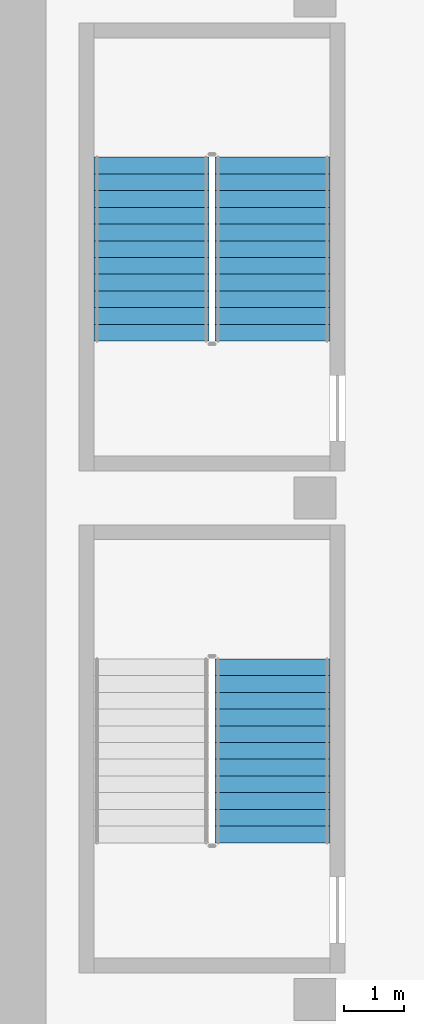
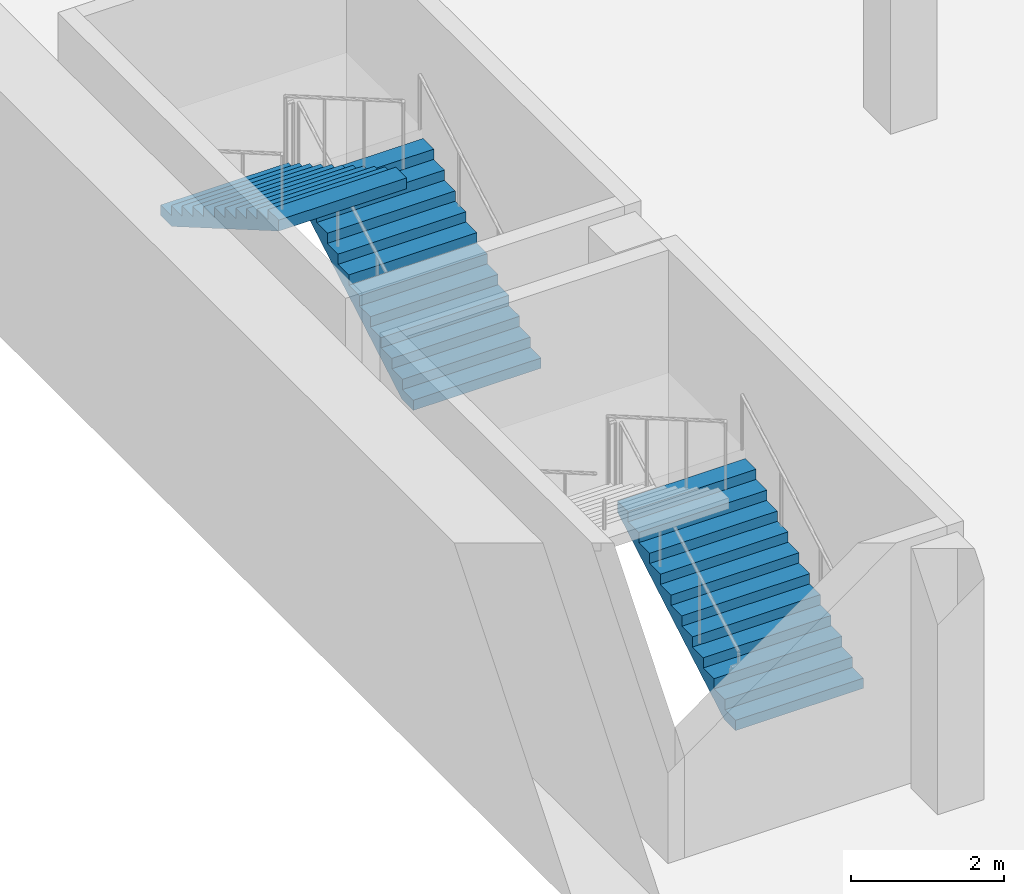
# One storey, part 16 of 25: 3 stair flights, 2 elements without a shape of their own.
"""IFC4 building model written with IfcOpenShell, lengths in metres."""

from ifc_helpers import new_model, si_unit, direction, frame, origin, place, context, subcontext, project, spatial, triangles, material, type_object, element, aggregate, save


model = new_model("IFC4")

# Units and contexts
model_context = context("Model", 3, precision=1e-05, world=origin(), true_north=direction((0.0, 1.0)))
body_context = subcontext(model_context, "Body", "Model", "MODEL_VIEW")
ifc_project = project(units=[si_unit("LENGTHUNIT", "METRE"), si_unit("AREAUNIT", "SQUARE_METRE"), si_unit("VOLUMEUNIT", "CUBIC_METRE"), si_unit("PLANEANGLEUNIT", "RADIAN"), si_unit("MASSUNIT", "GRAM", prefix="KILO")], contexts=[model_context])

# Site, building, storey
site_placement = place(None, origin())
site = spatial("IfcSite", under=ifc_project, at=site_placement, CompositionType="ELEMENT")
building_placement = place(site_placement, origin())
building = spatial("IfcBuilding", under=site, at=building_placement, Name="Verdalira Terraces Hotel", CompositionType="ELEMENT")
storey_placement = place(building_placement, frame((0.0, 0.0, -3.899902)))
storey = spatial("IfcBuildingStorey", under=building, at=storey_placement, Name="B1", CompositionType="ELEMENT", Elevation=-3.89990234375)

# Stair, stair flights
ifc_material_1 = material(Name="Concrete C40", Category="concrete")
stair_type = type_object("IfcStairType", Name="Car park stair 24 risers", PredefinedType="HALF_TURN_STAIR", material=ifc_material_1)
stair_1_placement = place(storey_placement, origin())
stair_1 = element("IfcStair", 1, at=stair_1_placement, inside=storey, type_object=stair_type, Name="B1 Exit stair Basement stair 4", PredefinedType="HALF_TURN_STAIR")
ifc_material_2 = material(Name="Concrete C40", Category="concrete")
stair_flight_type = type_object("IfcStairFlightType", Name="Car park stair flight 24 risers", PredefinedType="STRAIGHT", material=ifc_material_2)
stair_flight_1_placement = place(storey_placement, frame((-49.212402, 27.824951, 0.0), z_axis=(0.0, 0.0, 1.0), x_axis=(0.0, 1.0, 0.0)))
stair_flight_1 = element("IfcStairFlight", 2, at=stair_flight_1_placement, type_object=stair_flight_type, Name="Basement stair 4 flight 1", NumberOfRisers=12, NumberOfTreads=11, PredefinedType="STRAIGHT", RiserHeight=0.1625, TreadLength=0.28, context=body_context, shape_type="Tessellation", body=[
    triangles([(0.0, 0.962524, 0.0), (0.298584, 0.962524, 0.0), (3.080078, 0.962524, 1.614258), (0.0, -0.962524, 0.0), (0.298584, -0.962524, 0.0), (3.080078, -0.962524, 1.614258), (3.080078, 0.962524, 1.787598), (2.800049, 0.962524, 1.787598), (3.080078, -0.962524, 1.787598), (2.800049, -0.962524, 1.787598), (2.800049, 0.962524, 1.625), (2.800049, -0.962524, 1.625), (2.52002, 0.962524, 1.625), (2.52002, -0.962524, 1.625), (2.52002, 0.962524, 1.462402), (2.52002, -0.962524, 1.462402), (2.23999, 0.962524, 1.462402), (2.23999, 0.962524, 1.300049), (2.23999, -0.962524, 1.462402), (2.23999, -0.962524, 1.300049), (1.959961, 0.962524, 1.300049), (1.959961, 0.962524, 1.137451), (1.959961, -0.962524, 1.300049), (1.959961, -0.962524, 1.137451), (1.679932, 0.962524, 1.137451), (1.679932, 0.962524, 0.975098), (1.679932, -0.962524, 1.137451), (1.679932, -0.962524, 0.975098), (1.399902, 0.962524, 0.975098), (1.399902, 0.962524, 0.8125), (1.399902, -0.962524, 0.975098), (1.399902, -0.962524, 0.8125), (1.120117, 0.962524, 0.8125), (1.120117, 0.962524, 0.649902), (1.120117, -0.962524, 0.8125), (1.120117, -0.962524, 0.649902), (0.840088, 0.962524, 0.649902), (0.840088, 0.962524, 0.487549), (0.840088, -0.962524, 0.649902), (0.840088, -0.962524, 0.487549), (0.560059, 0.962524, 0.487549), (0.560059, 0.962524, 0.324951), (0.560059, -0.962524, 0.487549), (0.560059, -0.962524, 0.324951), (0.280029, 0.962524, 0.324951), (0.280029, 0.962524, 0.162598), (0.280029, -0.962524, 0.324951), (0.280029, -0.962524, 0.162598), (0.0, 0.962524, 0.162598), (0.0, -0.962524, 0.162598), (0.0, -0.902367, 0.0), (0.0, -0.902367, 0.162598), (0.0, -0.842209, 0.0), (0.0, -0.842209, 0.162598), (0.0, -0.782051, 0.0), (0.0, -0.782051, 0.162598), (0.0, -0.721893, 0.0), (0.0, -0.721893, 0.162598), (0.0, -0.661736, 0.0), (0.0, -0.661736, 0.162598), (0.0, -0.601578, 0.0), (0.0, -0.601578, 0.162598), (0.0, -0.54142, 0.0), (0.0, -0.54142, 0.162598), (0.0, -0.481262, 0.0), (0.0, -0.481262, 0.162598), (0.0, -0.421104, 0.0), (0.0, -0.421104, 0.162598), (0.0, -0.360947, 0.0), (0.0, -0.360947, 0.162598), (0.0, -0.300789, 0.0), (0.0, -0.300789, 0.162598), (0.0, -0.240631, 0.0), (0.0, -0.240631, 0.162598), (0.0, -0.180473, 0.0), (0.0, -0.180473, 0.162598), (0.0, -0.120316, 0.0), (0.0, -0.120316, 0.162598), (0.0, -0.060158, 0.0), (0.0, -0.060158, 0.162598), (0.0, 0.0, 0.0), (0.0, 0.0, 0.162598), (0.0, 0.060158, 0.0), (0.0, 0.060158, 0.162598), (0.0, 0.120316, 0.0), (0.0, 0.120316, 0.162598), (0.0, 0.180473, 0.0), (0.0, 0.180473, 0.162598), (0.0, 0.240631, 0.0), (0.0, 0.240631, 0.162598), (0.0, 0.300789, 0.0), (0.0, 0.300789, 0.162598), (0.0, 0.360947, 0.0), (0.0, 0.360947, 0.162598), (0.0, 0.421104, 0.0), (0.0, 0.421104, 0.162598), (0.0, 0.481262, 0.0), (0.0, 0.481262, 0.162598), (0.0, 0.54142, 0.0), (0.0, 0.54142, 0.162598), (0.0, 0.601578, 0.0), (0.0, 0.601578, 0.162598), (0.0, 0.661736, 0.0), (0.0, 0.661736, 0.162598), (0.0, 0.721893, 0.0), (0.0, 0.721893, 0.162598), (0.0, 0.782051, 0.0), (0.0, 0.782051, 0.162598), (0.0, 0.842209, 0.0), (0.0, 0.842209, 0.162598), (0.0, 0.902367, 0.0), (0.0, 0.902367, 0.162598), (3.080078, -0.902367, 1.787598), (3.080078, -0.842209, 1.787598), (3.080078, -0.782051, 1.787598), (3.080078, -0.721893, 1.787598), (3.080078, -0.661736, 1.787598), (3.080078, -0.601578, 1.787598), (3.080078, -0.54142, 1.787598), (3.080078, -0.481262, 1.787598), (3.080078, -0.421104, 1.787598), (3.080078, -0.360947, 1.787598), (3.080078, -0.300789, 1.787598), (3.080078, -0.240631, 1.787598), (3.080078, -0.180473, 1.787598), (3.080078, -0.120316, 1.787598), (3.080078, -0.060158, 1.787598), (3.080078, 0.0, 1.787598), (3.080078, 0.060158, 1.787598), (3.080078, 0.120316, 1.787598), (3.080078, 0.180473, 1.787598), (3.080078, 0.240631, 1.787598), (3.080078, 0.300789, 1.787598), (3.080078, 0.360947, 1.787598), (3.080078, 0.421104, 1.787598), (3.080078, 0.481262, 1.787598), (3.080078, 0.54142, 1.787598), (3.080078, 0.601578, 1.787598), (3.080078, 0.661736, 1.787598), (3.080078, 0.721893, 1.787598), (3.080078, 0.782051, 1.787598), (3.080078, 0.842209, 1.787598), (3.080078, 0.902367, 1.787598), (3.080078, -0.902367, 1.614258), (3.080078, -0.842209, 1.614258), (3.080078, -0.782051, 1.614258), (3.080078, -0.721893, 1.614258), (3.080078, -0.661736, 1.614258), (3.080078, -0.601578, 1.614258), (3.080078, -0.54142, 1.614258), (3.080078, -0.481262, 1.614258), (3.080078, -0.421104, 1.614258), (3.080078, -0.360947, 1.614258), (3.080078, -0.300789, 1.614258), (3.080078, -0.240631, 1.614258), (3.080078, -0.180473, 1.614258), (3.080078, -0.120316, 1.614258), (3.080078, -0.060158, 1.614258), (3.080078, 0.0, 1.614258), (3.080078, 0.060158, 1.614258), (3.080078, 0.120316, 1.614258), (3.080078, 0.180473, 1.614258), (3.080078, 0.240631, 1.614258), (3.080078, 0.300789, 1.614258), (3.080078, 0.360947, 1.614258), (3.080078, 0.421104, 1.614258), (3.080078, 0.481262, 1.614258), (3.080078, 0.54142, 1.614258), (3.080078, 0.601578, 1.614258), (3.080078, 0.661736, 1.614258), (3.080078, 0.721893, 1.614258), (3.080078, 0.782051, 1.614258), (3.080078, 0.842209, 1.614258), (3.080078, 0.902367, 1.614258)], [[1, 3, 2], [4, 5, 6], [3, 8, 7], [6, 9, 10], [3, 11, 8], [6, 10, 12], [3, 13, 11], [6, 12, 14], [3, 15, 13], [6, 14, 16], [15, 18, 17], [16, 19, 20], [3, 18, 15], [6, 16, 20], [18, 22, 21], [20, 23, 24], [3, 22, 18], [6, 20, 24], [22, 26, 25], [24, 27, 28], [3, 26, 22], [6, 24, 28], [26, 30, 29], [28, 31, 32], [3, 30, 26], [6, 28, 32], [30, 34, 33], [32, 35, 36], [3, 34, 30], [6, 32, 36], [34, 38, 37], [36, 39, 40], [3, 38, 34], [6, 36, 40], [38, 42, 41], [40, 43, 44], [3, 42, 38], [6, 40, 44], [1, 42, 3], [4, 6, 44], [42, 46, 45], [44, 47, 48], [1, 46, 42], [4, 44, 48], [46, 1, 49], [48, 50, 4], [4, 52, 51], [4, 50, 52], [51, 54, 53], [51, 52, 54], [53, 56, 55], [53, 54, 56], [55, 58, 57], [55, 56, 58], [57, 60, 59], [57, 58, 60], [59, 62, 61], [59, 60, 62], [61, 64, 63], [61, 62, 64], [63, 66, 65], [63, 64, 66], [65, 68, 67], [65, 66, 68], [67, 70, 69], [67, 68, 70], [69, 72, 71], [69, 70, 72], [71, 74, 73], [71, 72, 74], [73, 76, 75], [73, 74, 76], [75, 78, 77], [75, 76, 78], [77, 80, 79], [77, 78, 80], [79, 82, 81], [79, 80, 82], [81, 84, 83], [81, 82, 84], [83, 86, 85], [83, 84, 86], [85, 88, 87], [85, 86, 88], [87, 90, 89], [87, 88, 90], [89, 92, 91], [89, 90, 92], [91, 94, 93], [91, 92, 94], [93, 96, 95], [93, 94, 96], [95, 98, 97], [95, 96, 98], [97, 100, 99], [97, 98, 100], [99, 102, 101], [99, 100, 102], [101, 104, 103], [101, 102, 104], [103, 106, 105], [103, 104, 106], [105, 108, 107], [105, 106, 108], [107, 110, 109], [107, 108, 110], [109, 112, 111], [109, 110, 112], [111, 49, 1], [111, 112, 49], [50, 48, 52], [52, 48, 54], [54, 48, 56], [56, 48, 58], [58, 48, 60], [60, 48, 62], [62, 48, 64], [64, 48, 66], [66, 48, 68], [68, 48, 70], [70, 48, 72], [72, 48, 74], [74, 48, 76], [76, 48, 78], [78, 48, 80], [80, 48, 82], [82, 48, 84], [84, 48, 86], [86, 48, 88], [88, 48, 90], [90, 48, 92], [92, 48, 94], [94, 48, 96], [96, 48, 98], [98, 48, 100], [100, 48, 102], [102, 48, 104], [104, 48, 106], [106, 48, 108], [108, 48, 110], [110, 48, 112], [112, 48, 49], [49, 48, 46], [48, 45, 46], [48, 47, 45], [47, 42, 45], [47, 44, 42], [44, 41, 42], [44, 43, 41], [43, 38, 41], [43, 40, 38], [40, 37, 38], [40, 39, 37], [39, 34, 37], [39, 36, 34], [36, 33, 34], [36, 35, 33], [35, 30, 33], [35, 32, 30], [32, 29, 30], [32, 31, 29], [31, 26, 29], [31, 28, 26], [28, 25, 26], [28, 27, 25], [27, 22, 25], [27, 24, 22], [24, 21, 22], [24, 23, 21], [23, 18, 21], [23, 20, 18], [20, 17, 18], [20, 19, 17], [19, 15, 17], [19, 16, 15], [16, 13, 15], [16, 14, 13], [14, 11, 13], [14, 12, 11], [12, 8, 11], [12, 10, 8], [9, 113, 10], [113, 114, 10], [114, 115, 10], [115, 116, 10], [116, 117, 10], [117, 118, 10], [118, 119, 10], [119, 120, 10], [120, 121, 10], [121, 122, 10], [122, 123, 10], [123, 124, 10], [124, 125, 10], [125, 126, 10], [126, 127, 10], [127, 128, 10], [128, 129, 10], [129, 130, 10], [130, 131, 10], [131, 132, 10], [132, 133, 10], [133, 134, 10], [134, 135, 10], [135, 136, 10], [136, 137, 10], [137, 138, 10], [138, 139, 10], [139, 140, 10], [140, 141, 10], [141, 142, 10], [142, 143, 10], [143, 7, 10], [7, 8, 10], [9, 144, 113], [9, 6, 144], [113, 145, 114], [113, 144, 145], [114, 146, 115], [114, 145, 146], [115, 147, 116], [115, 146, 147], [116, 148, 117], [116, 147, 148], [117, 149, 118], [117, 148, 149], [118, 150, 119], [118, 149, 150], [119, 151, 120], [119, 150, 151], [120, 152, 121], [120, 151, 152], [121, 153, 122], [121, 152, 153], [122, 154, 123], [122, 153, 154], [123, 155, 124], [123, 154, 155], [124, 156, 125], [124, 155, 156], [125, 157, 126], [125, 156, 157], [126, 158, 127], [126, 157, 158], [127, 159, 128], [127, 158, 159], [128, 160, 129], [128, 159, 160], [129, 161, 130], [129, 160, 161], [130, 162, 131], [130, 161, 162], [131, 163, 132], [131, 162, 163], [132, 164, 133], [132, 163, 164], [133, 165, 134], [133, 164, 165], [134, 166, 135], [134, 165, 166], [135, 167, 136], [135, 166, 167], [136, 168, 137], [136, 167, 168], [137, 169, 138], [137, 168, 169], [138, 170, 139], [138, 169, 170], [139, 171, 140], [139, 170, 171], [140, 172, 141], [140, 171, 172], [141, 173, 142], [141, 172, 173], [142, 174, 143], [142, 173, 174], [143, 3, 7], [143, 174, 3], [6, 5, 144], [144, 5, 145], [145, 5, 146], [146, 5, 147], [147, 5, 148], [148, 5, 149], [149, 5, 150], [150, 5, 151], [151, 5, 152], [152, 5, 153], [153, 5, 154], [154, 5, 155], [155, 5, 156], [156, 5, 157], [157, 5, 158], [158, 5, 159], [159, 5, 160], [160, 5, 161], [161, 5, 162], [162, 5, 163], [163, 5, 164], [164, 5, 165], [165, 5, 166], [166, 5, 167], [167, 5, 168], [168, 5, 169], [169, 5, 170], [170, 5, 171], [171, 5, 172], [172, 5, 173], [173, 5, 174], [174, 5, 3], [3, 5, 2], [4, 51, 5], [51, 53, 5], [53, 55, 5], [55, 57, 5], [57, 59, 5], [59, 61, 5], [61, 63, 5], [63, 65, 5], [65, 67, 5], [67, 69, 5], [69, 71, 5], [71, 73, 5], [73, 75, 5], [75, 77, 5], [77, 79, 5], [79, 81, 5], [81, 83, 5], [83, 85, 5], [85, 87, 5], [87, 89, 5], [89, 91, 5], [91, 93, 5], [93, 95, 5], [95, 97, 5], [97, 99, 5], [99, 101, 5], [101, 103, 5], [103, 105, 5], [105, 107, 5], [107, 109, 5], [109, 111, 5], [111, 1, 5], [1, 2, 5]], closed=True),
])
stair_flight_2_placement = place(storey_placement, frame((-51.237549, 30.905029, 1.949951), z_axis=(0.0, 0.0, 1.0), x_axis=(0.0, -1.0, 0.0)))
stair_flight_2 = element("IfcStairFlight", 3, at=stair_flight_2_placement, type_object=stair_flight_type, Name="Basement stair 4 flight 2", NumberOfRisers=12, NumberOfTreads=11, PredefinedType="STRAIGHT", RiserHeight=0.1625, TreadLength=0.28, context=body_context, shape_type="Tessellation", body=[
    triangles([(0.0, 0.962524, 0.0), (0.298584, 0.962524, 0.0), (3.080078, 0.962524, 1.614258), (0.0, -0.962524, 0.0), (0.298584, -0.962524, 0.0), (3.080078, -0.962524, 1.614258), (3.080078, 0.962524, 1.787598), (2.800049, 0.962524, 1.787598), (3.080078, -0.962524, 1.787598), (2.800049, -0.962524, 1.787598), (2.800049, 0.962524, 1.625), (2.800049, -0.962524, 1.625), (2.52002, 0.962524, 1.625), (2.52002, -0.962524, 1.625), (2.52002, 0.962524, 1.462402), (2.52002, -0.962524, 1.462402), (2.23999, 0.962524, 1.462402), (2.23999, 0.962524, 1.300049), (2.23999, -0.962524, 1.462402), (2.23999, -0.962524, 1.300049), (1.959961, 0.962524, 1.300049), (1.959961, 0.962524, 1.137451), (1.959961, -0.962524, 1.300049), (1.959961, -0.962524, 1.137451), (1.679932, 0.962524, 1.137451), (1.679932, 0.962524, 0.975098), (1.679932, -0.962524, 1.137451), (1.679932, -0.962524, 0.975098), (1.399902, 0.962524, 0.975098), (1.399902, 0.962524, 0.8125), (1.399902, -0.962524, 0.975098), (1.399902, -0.962524, 0.8125), (1.120117, 0.962524, 0.8125), (1.120117, 0.962524, 0.649902), (1.120117, -0.962524, 0.8125), (1.120117, -0.962524, 0.649902), (0.840088, 0.962524, 0.649902), (0.840088, 0.962524, 0.487549), (0.840088, -0.962524, 0.649902), (0.840088, -0.962524, 0.487549), (0.560059, 0.962524, 0.487549), (0.560059, 0.962524, 0.324951), (0.560059, -0.962524, 0.487549), (0.560059, -0.962524, 0.324951), (0.280029, 0.962524, 0.324951), (0.280029, 0.962524, 0.162598), (0.280029, -0.962524, 0.324951), (0.280029, -0.962524, 0.162598), (0.0, 0.962524, 0.162598), (0.0, -0.962524, 0.162598), (0.0, -0.902367, 0.0), (0.0, -0.902367, 0.162598), (0.0, -0.842209, 0.0), (0.0, -0.842209, 0.162598), (0.0, -0.782051, 0.0), (0.0, -0.782051, 0.162598), (0.0, -0.721893, 0.0), (0.0, -0.721893, 0.162598), (0.0, -0.661736, 0.0), (0.0, -0.661736, 0.162598), (0.0, -0.601578, 0.0), (0.0, -0.601578, 0.162598), (0.0, -0.54142, 0.0), (0.0, -0.54142, 0.162598), (0.0, -0.481262, 0.0), (0.0, -0.481262, 0.162598), (0.0, -0.421104, 0.0), (0.0, -0.421104, 0.162598), (0.0, -0.360947, 0.0), (0.0, -0.360947, 0.162598), (0.0, -0.300789, 0.0), (0.0, -0.300789, 0.162598), (0.0, -0.240631, 0.0), (0.0, -0.240631, 0.162598), (0.0, -0.180473, 0.0), (0.0, -0.180473, 0.162598), (0.0, -0.120316, 0.0), (0.0, -0.120316, 0.162598), (0.0, -0.060158, 0.0), (0.0, -0.060158, 0.162598), (0.0, 0.0, 0.0), (0.0, 0.0, 0.162598), (0.0, 0.060158, 0.0), (0.0, 0.060158, 0.162598), (0.0, 0.120316, 0.0), (0.0, 0.120316, 0.162598), (0.0, 0.180473, 0.0), (0.0, 0.180473, 0.162598), (0.0, 0.240631, 0.0), (0.0, 0.240631, 0.162598), (0.0, 0.300789, 0.0), (0.0, 0.300789, 0.162598), (0.0, 0.360947, 0.0), (0.0, 0.360947, 0.162598), (0.0, 0.421104, 0.0), (0.0, 0.421104, 0.162598), (0.0, 0.481262, 0.0), (0.0, 0.481262, 0.162598), (0.0, 0.54142, 0.0), (0.0, 0.54142, 0.162598), (0.0, 0.601578, 0.0), (0.0, 0.601578, 0.162598), (0.0, 0.661736, 0.0), (0.0, 0.661736, 0.162598), (0.0, 0.721893, 0.0), (0.0, 0.721893, 0.162598), (0.0, 0.782051, 0.0), (0.0, 0.782051, 0.162598), (0.0, 0.842209, 0.0), (0.0, 0.842209, 0.162598), (0.0, 0.902367, 0.0), (0.0, 0.902367, 0.162598), (3.080078, -0.902367, 1.787598), (3.080078, -0.842209, 1.787598), (3.080078, -0.782051, 1.787598), (3.080078, -0.721893, 1.787598), (3.080078, -0.661736, 1.787598), (3.080078, -0.601578, 1.787598), (3.080078, -0.54142, 1.787598), (3.080078, -0.481262, 1.787598), (3.080078, -0.421104, 1.787598), (3.080078, -0.360947, 1.787598), (3.080078, -0.300789, 1.787598), (3.080078, -0.240631, 1.787598), (3.080078, -0.180473, 1.787598), (3.080078, -0.120316, 1.787598), (3.080078, -0.060158, 1.787598), (3.080078, 0.0, 1.787598), (3.080078, 0.060158, 1.787598), (3.080078, 0.120316, 1.787598), (3.080078, 0.180473, 1.787598), (3.080078, 0.240631, 1.787598), (3.080078, 0.300789, 1.787598), (3.080078, 0.360947, 1.787598), (3.080078, 0.421104, 1.787598), (3.080078, 0.481262, 1.787598), (3.080078, 0.54142, 1.787598), (3.080078, 0.601578, 1.787598), (3.080078, 0.661736, 1.787598), (3.080078, 0.721893, 1.787598), (3.080078, 0.782051, 1.787598), (3.080078, 0.842209, 1.787598), (3.080078, 0.902367, 1.787598), (3.080078, -0.902367, 1.614258), (3.080078, -0.842209, 1.614258), (3.080078, -0.782051, 1.614258), (3.080078, -0.721893, 1.614258), (3.080078, -0.661736, 1.614258), (3.080078, -0.601578, 1.614258), (3.080078, -0.54142, 1.614258), (3.080078, -0.481262, 1.614258), (3.080078, -0.421104, 1.614258), (3.080078, -0.360947, 1.614258), (3.080078, -0.300789, 1.614258), (3.080078, -0.240631, 1.614258), (3.080078, -0.180473, 1.614258), (3.080078, -0.120316, 1.614258), (3.080078, -0.060158, 1.614258), (3.080078, 0.0, 1.614258), (3.080078, 0.060158, 1.614258), (3.080078, 0.120316, 1.614258), (3.080078, 0.180473, 1.614258), (3.080078, 0.240631, 1.614258), (3.080078, 0.300789, 1.614258), (3.080078, 0.360947, 1.614258), (3.080078, 0.421104, 1.614258), (3.080078, 0.481262, 1.614258), (3.080078, 0.54142, 1.614258), (3.080078, 0.601578, 1.614258), (3.080078, 0.661736, 1.614258), (3.080078, 0.721893, 1.614258), (3.080078, 0.782051, 1.614258), (3.080078, 0.842209, 1.614258), (3.080078, 0.902367, 1.614258)], [[1, 3, 2], [4, 5, 6], [3, 8, 7], [6, 9, 10], [3, 11, 8], [6, 10, 12], [3, 13, 11], [6, 12, 14], [3, 15, 13], [6, 14, 16], [15, 18, 17], [16, 19, 20], [3, 18, 15], [6, 16, 20], [18, 22, 21], [20, 23, 24], [3, 22, 18], [6, 20, 24], [22, 26, 25], [24, 27, 28], [3, 26, 22], [6, 24, 28], [26, 30, 29], [28, 31, 32], [3, 30, 26], [6, 28, 32], [30, 34, 33], [32, 35, 36], [3, 34, 30], [6, 32, 36], [34, 38, 37], [36, 39, 40], [3, 38, 34], [6, 36, 40], [38, 42, 41], [40, 43, 44], [3, 42, 38], [6, 40, 44], [1, 42, 3], [4, 6, 44], [42, 46, 45], [44, 47, 48], [1, 46, 42], [4, 44, 48], [46, 1, 49], [48, 50, 4], [4, 52, 51], [4, 50, 52], [51, 54, 53], [51, 52, 54], [53, 56, 55], [53, 54, 56], [55, 58, 57], [55, 56, 58], [57, 60, 59], [57, 58, 60], [59, 62, 61], [59, 60, 62], [61, 64, 63], [61, 62, 64], [63, 66, 65], [63, 64, 66], [65, 68, 67], [65, 66, 68], [67, 70, 69], [67, 68, 70], [69, 72, 71], [69, 70, 72], [71, 74, 73], [71, 72, 74], [73, 76, 75], [73, 74, 76], [75, 78, 77], [75, 76, 78], [77, 80, 79], [77, 78, 80], [79, 82, 81], [79, 80, 82], [81, 84, 83], [81, 82, 84], [83, 86, 85], [83, 84, 86], [85, 88, 87], [85, 86, 88], [87, 90, 89], [87, 88, 90], [89, 92, 91], [89, 90, 92], [91, 94, 93], [91, 92, 94], [93, 96, 95], [93, 94, 96], [95, 98, 97], [95, 96, 98], [97, 100, 99], [97, 98, 100], [99, 102, 101], [99, 100, 102], [101, 104, 103], [101, 102, 104], [103, 106, 105], [103, 104, 106], [105, 108, 107], [105, 106, 108], [107, 110, 109], [107, 108, 110], [109, 112, 111], [109, 110, 112], [111, 49, 1], [111, 112, 49], [50, 48, 52], [52, 48, 54], [54, 48, 56], [56, 48, 58], [58, 48, 60], [60, 48, 62], [62, 48, 64], [64, 48, 66], [66, 48, 68], [68, 48, 70], [70, 48, 72], [72, 48, 74], [74, 48, 76], [76, 48, 78], [78, 48, 80], [80, 48, 82], [82, 48, 84], [84, 48, 86], [86, 48, 88], [88, 48, 90], [90, 48, 92], [92, 48, 94], [94, 48, 96], [96, 48, 98], [98, 48, 100], [100, 48, 102], [102, 48, 104], [104, 48, 106], [106, 48, 108], [108, 48, 110], [110, 48, 112], [112, 48, 49], [49, 48, 46], [48, 45, 46], [48, 47, 45], [47, 42, 45], [47, 44, 42], [44, 41, 42], [44, 43, 41], [43, 38, 41], [43, 40, 38], [40, 37, 38], [40, 39, 37], [39, 34, 37], [39, 36, 34], [36, 33, 34], [36, 35, 33], [35, 30, 33], [35, 32, 30], [32, 29, 30], [32, 31, 29], [31, 26, 29], [31, 28, 26], [28, 25, 26], [28, 27, 25], [27, 22, 25], [27, 24, 22], [24, 21, 22], [24, 23, 21], [23, 18, 21], [23, 20, 18], [20, 17, 18], [20, 19, 17], [19, 15, 17], [19, 16, 15], [16, 13, 15], [16, 14, 13], [14, 11, 13], [14, 12, 11], [12, 8, 11], [12, 10, 8], [9, 113, 10], [113, 114, 10], [114, 115, 10], [115, 116, 10], [116, 117, 10], [117, 118, 10], [118, 119, 10], [119, 120, 10], [120, 121, 10], [121, 122, 10], [122, 123, 10], [123, 124, 10], [124, 125, 10], [125, 126, 10], [126, 127, 10], [127, 128, 10], [128, 129, 10], [129, 130, 10], [130, 131, 10], [131, 132, 10], [132, 133, 10], [133, 134, 10], [134, 135, 10], [135, 136, 10], [136, 137, 10], [137, 138, 10], [138, 139, 10], [139, 140, 10], [140, 141, 10], [141, 142, 10], [142, 143, 10], [143, 7, 10], [7, 8, 10], [9, 144, 113], [9, 6, 144], [113, 145, 114], [113, 144, 145], [114, 146, 115], [114, 145, 146], [115, 147, 116], [115, 146, 147], [116, 148, 117], [116, 147, 148], [117, 149, 118], [117, 148, 149], [118, 150, 119], [118, 149, 150], [119, 151, 120], [119, 150, 151], [120, 152, 121], [120, 151, 152], [121, 153, 122], [121, 152, 153], [122, 154, 123], [122, 153, 154], [123, 155, 124], [123, 154, 155], [124, 156, 125], [124, 155, 156], [125, 157, 126], [125, 156, 157], [126, 158, 127], [126, 157, 158], [127, 159, 128], [127, 158, 159], [128, 160, 129], [128, 159, 160], [129, 161, 130], [129, 160, 161], [130, 162, 131], [130, 161, 162], [131, 163, 132], [131, 162, 163], [132, 164, 133], [132, 163, 164], [133, 165, 134], [133, 164, 165], [134, 166, 135], [134, 165, 166], [135, 167, 136], [135, 166, 167], [136, 168, 137], [136, 167, 168], [137, 169, 138], [137, 168, 169], [138, 170, 139], [138, 169, 170], [139, 171, 140], [139, 170, 171], [140, 172, 141], [140, 171, 172], [141, 173, 142], [141, 172, 173], [142, 174, 143], [142, 173, 174], [143, 3, 7], [143, 174, 3], [6, 5, 144], [144, 5, 145], [145, 5, 146], [146, 5, 147], [147, 5, 148], [148, 5, 149], [149, 5, 150], [150, 5, 151], [151, 5, 152], [152, 5, 153], [153, 5, 154], [154, 5, 155], [155, 5, 156], [156, 5, 157], [157, 5, 158], [158, 5, 159], [159, 5, 160], [160, 5, 161], [161, 5, 162], [162, 5, 163], [163, 5, 164], [164, 5, 165], [165, 5, 166], [166, 5, 167], [167, 5, 168], [168, 5, 169], [169, 5, 170], [170, 5, 171], [171, 5, 172], [172, 5, 173], [173, 5, 174], [174, 5, 3], [3, 5, 2], [4, 51, 5], [51, 53, 5], [53, 55, 5], [55, 57, 5], [57, 59, 5], [59, 61, 5], [61, 63, 5], [63, 65, 5], [65, 67, 5], [67, 69, 5], [69, 71, 5], [71, 73, 5], [73, 75, 5], [75, 77, 5], [77, 79, 5], [79, 81, 5], [81, 83, 5], [83, 85, 5], [85, 87, 5], [87, 89, 5], [89, 91, 5], [91, 93, 5], [93, 95, 5], [95, 97, 5], [97, 99, 5], [99, 101, 5], [101, 103, 5], [103, 105, 5], [105, 107, 5], [107, 109, 5], [109, 111, 5], [111, 1, 5], [1, 2, 5]], closed=True),
])
aggregate(stair_1, [stair_flight_1, stair_flight_2])

# Stair, stair flight
stair_2_placement = place(storey_placement, origin())
stair_2 = element("IfcStair", 4, at=stair_2_placement, inside=storey, type_object=stair_type, Name="B1 Exit stair Basement stair 7", PredefinedType="HALF_TURN_STAIR")
stair_flight_3_placement = place(storey_placement, frame((-49.212402, 19.425049, 0.0), z_axis=(0.0, 0.0, 1.0), x_axis=(0.0, 1.0, 0.0)))
stair_flight_3 = element("IfcStairFlight", 5, at=stair_flight_3_placement, type_object=stair_flight_type, Name="Basement stair 7 flight 1", NumberOfRisers=12, NumberOfTreads=11, PredefinedType="STRAIGHT", RiserHeight=0.1625, TreadLength=0.28, context=body_context, shape_type="Tessellation", body=[
    triangles([(0.0, 0.962524, 0.0), (0.298584, 0.962524, 0.0), (3.080078, 0.962524, 1.614258), (0.0, -0.962524, 0.0), (0.298584, -0.962524, 0.0), (3.080078, -0.962524, 1.614258), (3.080078, 0.962524, 1.787598), (2.800049, 0.962524, 1.787598), (3.080078, -0.962524, 1.787598), (2.800049, -0.962524, 1.787598), (2.800049, 0.962524, 1.625), (2.800049, -0.962524, 1.625), (2.52002, 0.962524, 1.625), (2.52002, -0.962524, 1.625), (2.52002, 0.962524, 1.462402), (2.52002, -0.962524, 1.462402), (2.23999, 0.962524, 1.462402), (2.23999, 0.962524, 1.300049), (2.23999, -0.962524, 1.462402), (2.23999, -0.962524, 1.300049), (1.959961, 0.962524, 1.300049), (1.959961, 0.962524, 1.137451), (1.959961, -0.962524, 1.300049), (1.959961, -0.962524, 1.137451), (1.679932, 0.962524, 1.137451), (1.679932, 0.962524, 0.975098), (1.679932, -0.962524, 1.137451), (1.679932, -0.962524, 0.975098), (1.399902, 0.962524, 0.975098), (1.399902, 0.962524, 0.8125), (1.399902, -0.962524, 0.975098), (1.399902, -0.962524, 0.8125), (1.120117, 0.962524, 0.8125), (1.120117, 0.962524, 0.649902), (1.120117, -0.962524, 0.8125), (1.120117, -0.962524, 0.649902), (0.840088, 0.962524, 0.649902), (0.840088, 0.962524, 0.487549), (0.840088, -0.962524, 0.649902), (0.840088, -0.962524, 0.487549), (0.560059, 0.962524, 0.487549), (0.560059, 0.962524, 0.324951), (0.560059, -0.962524, 0.487549), (0.560059, -0.962524, 0.324951), (0.280029, 0.962524, 0.324951), (0.280029, 0.962524, 0.162598), (0.280029, -0.962524, 0.324951), (0.280029, -0.962524, 0.162598), (0.0, 0.962524, 0.162598), (0.0, -0.962524, 0.162598), (0.0, -0.902367, 0.0), (0.0, -0.902367, 0.162598), (0.0, -0.842209, 0.0), (0.0, -0.842209, 0.162598), (0.0, -0.782051, 0.0), (0.0, -0.782051, 0.162598), (0.0, -0.721893, 0.0), (0.0, -0.721893, 0.162598), (0.0, -0.661736, 0.0), (0.0, -0.661736, 0.162598), (0.0, -0.601578, 0.0), (0.0, -0.601578, 0.162598), (0.0, -0.54142, 0.0), (0.0, -0.54142, 0.162598), (0.0, -0.481262, 0.0), (0.0, -0.481262, 0.162598), (0.0, -0.421104, 0.0), (0.0, -0.421104, 0.162598), (0.0, -0.360947, 0.0), (0.0, -0.360947, 0.162598), (0.0, -0.300789, 0.0), (0.0, -0.300789, 0.162598), (0.0, -0.240631, 0.0), (0.0, -0.240631, 0.162598), (0.0, -0.180473, 0.0), (0.0, -0.180473, 0.162598), (0.0, -0.120316, 0.0), (0.0, -0.120316, 0.162598), (0.0, -0.060158, 0.0), (0.0, -0.060158, 0.162598), (0.0, 0.0, 0.0), (0.0, 0.0, 0.162598), (0.0, 0.060158, 0.0), (0.0, 0.060158, 0.162598), (0.0, 0.120316, 0.0), (0.0, 0.120316, 0.162598), (0.0, 0.180473, 0.0), (0.0, 0.180473, 0.162598), (0.0, 0.240631, 0.0), (0.0, 0.240631, 0.162598), (0.0, 0.300789, 0.0), (0.0, 0.300789, 0.162598), (0.0, 0.360947, 0.0), (0.0, 0.360947, 0.162598), (0.0, 0.421104, 0.0), (0.0, 0.421104, 0.162598), (0.0, 0.481262, 0.0), (0.0, 0.481262, 0.162598), (0.0, 0.54142, 0.0), (0.0, 0.54142, 0.162598), (0.0, 0.601578, 0.0), (0.0, 0.601578, 0.162598), (0.0, 0.661736, 0.0), (0.0, 0.661736, 0.162598), (0.0, 0.721893, 0.0), (0.0, 0.721893, 0.162598), (0.0, 0.782051, 0.0), (0.0, 0.782051, 0.162598), (0.0, 0.842209, 0.0), (0.0, 0.842209, 0.162598), (0.0, 0.902367, 0.0), (0.0, 0.902367, 0.162598), (3.080078, -0.902367, 1.787598), (3.080078, -0.842209, 1.787598), (3.080078, -0.782051, 1.787598), (3.080078, -0.721893, 1.787598), (3.080078, -0.661736, 1.787598), (3.080078, -0.601578, 1.787598), (3.080078, -0.54142, 1.787598), (3.080078, -0.481262, 1.787598), (3.080078, -0.421104, 1.787598), (3.080078, -0.360947, 1.787598), (3.080078, -0.300789, 1.787598), (3.080078, -0.240631, 1.787598), (3.080078, -0.180473, 1.787598), (3.080078, -0.120316, 1.787598), (3.080078, -0.060158, 1.787598), (3.080078, 0.0, 1.787598), (3.080078, 0.060158, 1.787598), (3.080078, 0.120316, 1.787598), (3.080078, 0.180473, 1.787598), (3.080078, 0.240631, 1.787598), (3.080078, 0.300789, 1.787598), (3.080078, 0.360947, 1.787598), (3.080078, 0.421104, 1.787598), (3.080078, 0.481262, 1.787598), (3.080078, 0.54142, 1.787598), (3.080078, 0.601578, 1.787598), (3.080078, 0.661736, 1.787598), (3.080078, 0.721893, 1.787598), (3.080078, 0.782051, 1.787598), (3.080078, 0.842209, 1.787598), (3.080078, 0.902367, 1.787598), (3.080078, -0.902367, 1.614258), (3.080078, -0.842209, 1.614258), (3.080078, -0.782051, 1.614258), (3.080078, -0.721893, 1.614258), (3.080078, -0.661736, 1.614258), (3.080078, -0.601578, 1.614258), (3.080078, -0.54142, 1.614258), (3.080078, -0.481262, 1.614258), (3.080078, -0.421104, 1.614258), (3.080078, -0.360947, 1.614258), (3.080078, -0.300789, 1.614258), (3.080078, -0.240631, 1.614258), (3.080078, -0.180473, 1.614258), (3.080078, -0.120316, 1.614258), (3.080078, -0.060158, 1.614258), (3.080078, 0.0, 1.614258), (3.080078, 0.060158, 1.614258), (3.080078, 0.120316, 1.614258), (3.080078, 0.180473, 1.614258), (3.080078, 0.240631, 1.614258), (3.080078, 0.300789, 1.614258), (3.080078, 0.360947, 1.614258), (3.080078, 0.421104, 1.614258), (3.080078, 0.481262, 1.614258), (3.080078, 0.54142, 1.614258), (3.080078, 0.601578, 1.614258), (3.080078, 0.661736, 1.614258), (3.080078, 0.721893, 1.614258), (3.080078, 0.782051, 1.614258), (3.080078, 0.842209, 1.614258), (3.080078, 0.902367, 1.614258)], [[1, 3, 2], [4, 5, 6], [3, 8, 7], [6, 9, 10], [3, 11, 8], [6, 10, 12], [3, 13, 11], [6, 12, 14], [3, 15, 13], [6, 14, 16], [15, 18, 17], [16, 19, 20], [3, 18, 15], [6, 16, 20], [18, 22, 21], [20, 23, 24], [3, 22, 18], [6, 20, 24], [22, 26, 25], [24, 27, 28], [3, 26, 22], [6, 24, 28], [26, 30, 29], [28, 31, 32], [3, 30, 26], [6, 28, 32], [30, 34, 33], [32, 35, 36], [3, 34, 30], [6, 32, 36], [34, 38, 37], [36, 39, 40], [3, 38, 34], [6, 36, 40], [38, 42, 41], [40, 43, 44], [3, 42, 38], [6, 40, 44], [1, 42, 3], [4, 6, 44], [42, 46, 45], [44, 47, 48], [1, 46, 42], [4, 44, 48], [46, 1, 49], [48, 50, 4], [4, 52, 51], [4, 50, 52], [51, 54, 53], [51, 52, 54], [53, 56, 55], [53, 54, 56], [55, 58, 57], [55, 56, 58], [57, 60, 59], [57, 58, 60], [59, 62, 61], [59, 60, 62], [61, 64, 63], [61, 62, 64], [63, 66, 65], [63, 64, 66], [65, 68, 67], [65, 66, 68], [67, 70, 69], [67, 68, 70], [69, 72, 71], [69, 70, 72], [71, 74, 73], [71, 72, 74], [73, 76, 75], [73, 74, 76], [75, 78, 77], [75, 76, 78], [77, 80, 79], [77, 78, 80], [79, 82, 81], [79, 80, 82], [81, 84, 83], [81, 82, 84], [83, 86, 85], [83, 84, 86], [85, 88, 87], [85, 86, 88], [87, 90, 89], [87, 88, 90], [89, 92, 91], [89, 90, 92], [91, 94, 93], [91, 92, 94], [93, 96, 95], [93, 94, 96], [95, 98, 97], [95, 96, 98], [97, 100, 99], [97, 98, 100], [99, 102, 101], [99, 100, 102], [101, 104, 103], [101, 102, 104], [103, 106, 105], [103, 104, 106], [105, 108, 107], [105, 106, 108], [107, 110, 109], [107, 108, 110], [109, 112, 111], [109, 110, 112], [111, 49, 1], [111, 112, 49], [50, 48, 52], [52, 48, 54], [54, 48, 56], [56, 48, 58], [58, 48, 60], [60, 48, 62], [62, 48, 64], [64, 48, 66], [66, 48, 68], [68, 48, 70], [70, 48, 72], [72, 48, 74], [74, 48, 76], [76, 48, 78], [78, 48, 80], [80, 48, 82], [82, 48, 84], [84, 48, 86], [86, 48, 88], [88, 48, 90], [90, 48, 92], [92, 48, 94], [94, 48, 96], [96, 48, 98], [98, 48, 100], [100, 48, 102], [102, 48, 104], [104, 48, 106], [106, 48, 108], [108, 48, 110], [110, 48, 112], [112, 48, 49], [49, 48, 46], [48, 45, 46], [48, 47, 45], [47, 42, 45], [47, 44, 42], [44, 41, 42], [44, 43, 41], [43, 38, 41], [43, 40, 38], [40, 37, 38], [40, 39, 37], [39, 34, 37], [39, 36, 34], [36, 33, 34], [36, 35, 33], [35, 30, 33], [35, 32, 30], [32, 29, 30], [32, 31, 29], [31, 26, 29], [31, 28, 26], [28, 25, 26], [28, 27, 25], [27, 22, 25], [27, 24, 22], [24, 21, 22], [24, 23, 21], [23, 18, 21], [23, 20, 18], [20, 17, 18], [20, 19, 17], [19, 15, 17], [19, 16, 15], [16, 13, 15], [16, 14, 13], [14, 11, 13], [14, 12, 11], [12, 8, 11], [12, 10, 8], [9, 113, 10], [113, 114, 10], [114, 115, 10], [115, 116, 10], [116, 117, 10], [117, 118, 10], [118, 119, 10], [119, 120, 10], [120, 121, 10], [121, 122, 10], [122, 123, 10], [123, 124, 10], [124, 125, 10], [125, 126, 10], [126, 127, 10], [127, 128, 10], [128, 129, 10], [129, 130, 10], [130, 131, 10], [131, 132, 10], [132, 133, 10], [133, 134, 10], [134, 135, 10], [135, 136, 10], [136, 137, 10], [137, 138, 10], [138, 139, 10], [139, 140, 10], [140, 141, 10], [141, 142, 10], [142, 143, 10], [143, 7, 10], [7, 8, 10], [9, 144, 113], [9, 6, 144], [113, 145, 114], [113, 144, 145], [114, 146, 115], [114, 145, 146], [115, 147, 116], [115, 146, 147], [116, 148, 117], [116, 147, 148], [117, 149, 118], [117, 148, 149], [118, 150, 119], [118, 149, 150], [119, 151, 120], [119, 150, 151], [120, 152, 121], [120, 151, 152], [121, 153, 122], [121, 152, 153], [122, 154, 123], [122, 153, 154], [123, 155, 124], [123, 154, 155], [124, 156, 125], [124, 155, 156], [125, 157, 126], [125, 156, 157], [126, 158, 127], [126, 157, 158], [127, 159, 128], [127, 158, 159], [128, 160, 129], [128, 159, 160], [129, 161, 130], [129, 160, 161], [130, 162, 131], [130, 161, 162], [131, 163, 132], [131, 162, 163], [132, 164, 133], [132, 163, 164], [133, 165, 134], [133, 164, 165], [134, 166, 135], [134, 165, 166], [135, 167, 136], [135, 166, 167], [136, 168, 137], [136, 167, 168], [137, 169, 138], [137, 168, 169], [138, 170, 139], [138, 169, 170], [139, 171, 140], [139, 170, 171], [140, 172, 141], [140, 171, 172], [141, 173, 142], [141, 172, 173], [142, 174, 143], [142, 173, 174], [143, 3, 7], [143, 174, 3], [6, 5, 144], [144, 5, 145], [145, 5, 146], [146, 5, 147], [147, 5, 148], [148, 5, 149], [149, 5, 150], [150, 5, 151], [151, 5, 152], [152, 5, 153], [153, 5, 154], [154, 5, 155], [155, 5, 156], [156, 5, 157], [157, 5, 158], [158, 5, 159], [159, 5, 160], [160, 5, 161], [161, 5, 162], [162, 5, 163], [163, 5, 164], [164, 5, 165], [165, 5, 166], [166, 5, 167], [167, 5, 168], [168, 5, 169], [169, 5, 170], [170, 5, 171], [171, 5, 172], [172, 5, 173], [173, 5, 174], [174, 5, 3], [3, 5, 2], [4, 51, 5], [51, 53, 5], [53, 55, 5], [55, 57, 5], [57, 59, 5], [59, 61, 5], [61, 63, 5], [63, 65, 5], [65, 67, 5], [67, 69, 5], [69, 71, 5], [71, 73, 5], [73, 75, 5], [75, 77, 5], [77, 79, 5], [79, 81, 5], [81, 83, 5], [83, 85, 5], [85, 87, 5], [87, 89, 5], [89, 91, 5], [91, 93, 5], [93, 95, 5], [95, 97, 5], [97, 99, 5], [99, 101, 5], [101, 103, 5], [103, 105, 5], [105, 107, 5], [107, 109, 5], [109, 111, 5], [111, 1, 5], [1, 2, 5]], closed=True),
])
aggregate(stair_2, [stair_flight_3])

save(model, "model.ifc")
